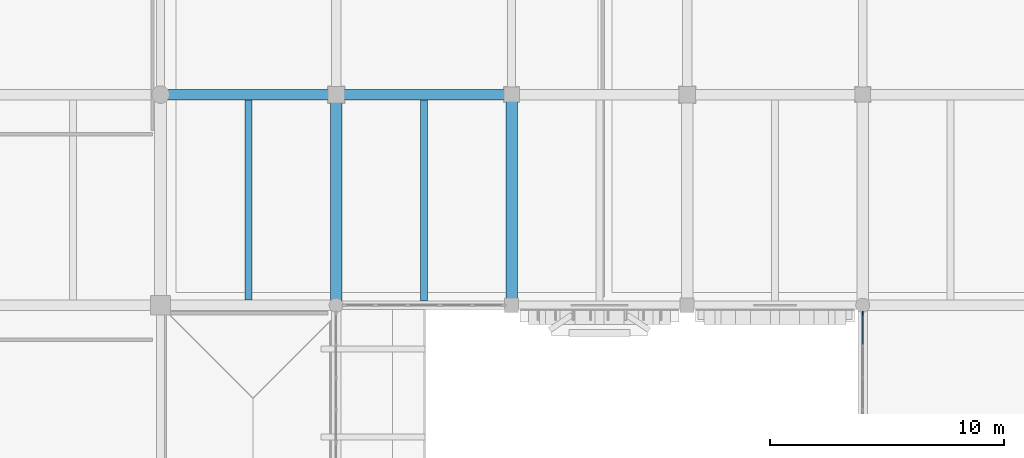
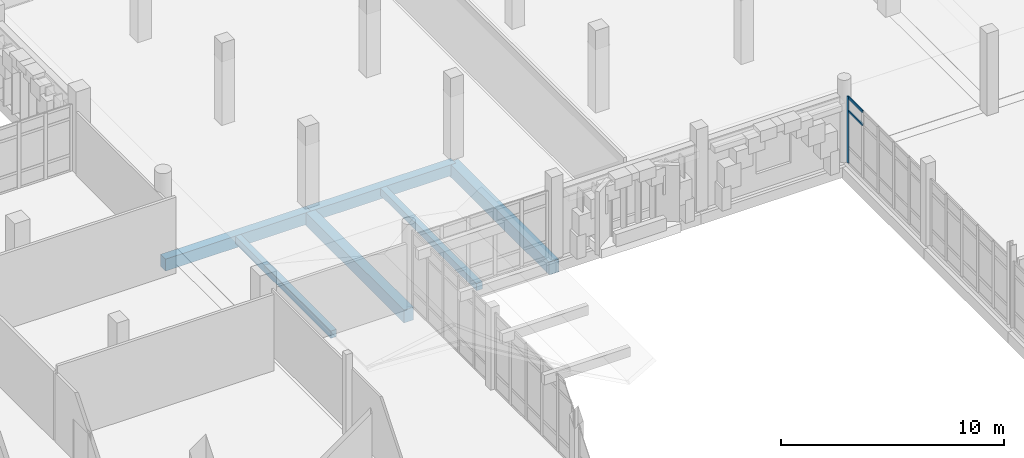
# One storey, part 47 of 128: 6 beams, 3 members, 1 element without a shape of its own.
"""IFC4 building model written with IfcOpenShell, lengths in metres."""

from ifc_helpers import new_model, si_unit, direction, frame, origin, origin_2d, place, context, subcontext, project, spatial, rectangle, extrude, material, layer, layer_set, material_profile, profile_set, type_object, element, aggregate, save


model = new_model("IFC4")

# Units and contexts
model_context = context("Model", 3, precision=1e-05, world=origin(), true_north=direction((0.0, 1.0)))
body_context = subcontext(model_context, "Body", "Model", "MODEL_VIEW")
ifc_project = project(units=[si_unit("LENGTHUNIT", "METRE"), si_unit("AREAUNIT", "SQUARE_METRE"), si_unit("VOLUMEUNIT", "CUBIC_METRE"), si_unit("PLANEANGLEUNIT", "RADIAN"), si_unit("MASSUNIT", "GRAM", prefix="KILO")], contexts=[model_context])

# Site, building, storey
site_placement = place(None, origin())
site = spatial("IfcSite", under=ifc_project, at=site_placement, CompositionType="ELEMENT")
building_placement = place(site_placement, origin())
building = spatial("IfcBuilding", under=site, at=building_placement, Name="Dalvernix Boulevard General Hospital", CompositionType="ELEMENT")
storey_placement = place(building_placement, frame((0.0, 0.0, 4.800048828125)))
storey = spatial("IfcBuildingStorey", under=building, at=storey_placement, Name="L01", CompositionType="ELEMENT", Elevation=4.800048828125)

# Beams
ifc_material_1 = material(Name="Concrete C35/45", Category="concrete")
ifc_material_profile_1 = material_profile(ifc_material_1, rectangle(XDim=0.5, YDim=0.699951171875, at=origin_2d()), Name="RCB 500x700")
ifc_profile_set_1 = profile_set([ifc_material_profile_1], Name="Concrete C35/45")
beam_type_1 = type_object("IfcBeamType", Name="BM-B-01-I", PredefinedType="BEAM", material=ifc_profile_set_1)
for number, where, z_axis, x_axis, name in (
    (1, (37.5, 76.5, -0.650146484375), (0.0, 1.0, 0.0), (-1.0, 0.0, 0.0), "L01 N-S girder 6:L-M"),
    (2, (45.0, 76.5, -0.650146484375), (0.0, 1.0, 0.0), (-1.0, 0.0, 0.0), "L01 N-S girder 7:L-M"),
):
    element("IfcBeam", number, at=place(storey_placement, frame(where, z_axis=z_axis, x_axis=x_axis)), inside=storey, type_object=beam_type_1, Name=name, PredefinedType="BEAM", context=body_context, shape_type="SweptSolid", body=[
        extrude(rectangle(XDim=0.5, YDim=0.699951171875, at=origin_2d()), origin(), (0.0, 0.0, 1.0), 9.0),
    ])
ifc_material_profile_2 = material_profile(ifc_material_1, rectangle(XDim=0.449951171875, YDim=0.64990234375, at=origin_2d()), Name="RCB 450x650")
ifc_profile_set_2 = profile_set([ifc_material_profile_2], Name="Concrete C35/45")
beam_type_2 = type_object("IfcBeamType", Name="BM-B-03-I", PredefinedType="BEAM", material=ifc_profile_set_2)
beam_1_placement = place(storey_placement, frame((30.0, 85.5, -0.625), z_axis=(1.0, 0.0, 0.0), x_axis=(0.0, 1.0, 0.0)))
element("IfcBeam", 3, at=beam_1_placement, inside=storey, type_object=beam_type_2, Name="L01 E-W girder M:5-6", PredefinedType="BEAM", context=body_context, shape_type="SweptSolid", body=[
    extrude(rectangle(XDim=0.449951171875, YDim=0.64990234375, at=origin_2d()), origin(), (0.0, 0.0, 1.0), 7.5),
])
ifc_material_profile_3 = material_profile(ifc_material_1, rectangle(XDim=0.449951171875, YDim=0.60009765625, at=origin_2d()), Name="RCB 450x600")
ifc_profile_set_3 = profile_set([ifc_material_profile_3], Name="Concrete C35/45")
beam_type_3 = type_object("IfcBeamType", Name="BM-B-04-I", PredefinedType="BEAM", material=ifc_profile_set_3)
beam_2_placement = place(storey_placement, frame((37.5, 85.5, -0.60009765625), z_axis=(1.0, 0.0, 0.0), x_axis=(0.0, 1.0, 0.0)))
element("IfcBeam", 4, at=beam_2_placement, inside=storey, type_object=beam_type_3, Name="L01 E-W girder M:6-7", PredefinedType="BEAM", context=body_context, shape_type="SweptSolid", body=[
    extrude(rectangle(XDim=0.449951171875, YDim=0.60009765625, at=origin_2d()), origin(), (0.0, 0.0, 1.0), 7.5),
])
ifc_material_profile_4 = material_profile(ifc_material_1, rectangle(XDim=0.300048828125, YDim=0.39990234375, at=origin_2d()), Name="RCB 300x400")
ifc_profile_set_4 = profile_set([ifc_material_profile_4], Name="Concrete C35/45")
beam_type_4 = type_object("IfcBeamType", Name="BM-JB-01", PredefinedType="JOIST", material=ifc_profile_set_4)
beam_3_placement = place(storey_placement, frame((33.75, 76.72509765625, -0.5), z_axis=(0.0, 1.0, 0.0), x_axis=(-1.0, 0.0, 0.0)))
element("IfcBeam", 5, at=beam_3_placement, inside=storey, type_object=beam_type_4, Name="L01 secondary floor beam 5-L", PredefinedType="JOIST", context=body_context, shape_type="SweptSolid", body=[
    extrude(rectangle(XDim=0.300048828125, YDim=0.39990234375, at=origin_2d()), origin(), (0.0, 0.0, 1.0), 8.5498046875),
])
beam_4_placement = place(storey_placement, frame((41.25, 76.675048828125, -0.5), z_axis=(0.0, 1.0, 0.0), x_axis=(-1.0, 0.0, 0.0)))
element("IfcBeam", 6, at=beam_4_placement, inside=storey, type_object=beam_type_4, Name="L01 secondary floor beam 6-L", PredefinedType="JOIST", context=body_context, shape_type="SweptSolid", body=[
    extrude(rectangle(XDim=0.300048828125, YDim=0.39990234375, at=origin_2d()), origin(), (0.0, 0.0, 1.0), 8.599853515625),
])

# Curtain wall, members
ifc_material_2 = material(Name="Thermally broken aluminium and solar-control glass curtain wall", Category="aluminium")
ifc_layer = layer(ifc_material_2, 0.159912109375)
ifc_layer_set = layer_set([ifc_layer], Name="Thermally broken aluminium and solar-control glass curtain wall (CW-CW-A-69x36)")
curtain_wall_type = type_object("IfcCurtainWallType", Name="CW-CW-A-69x36", PredefinedType="USERDEFINED", material=ifc_layer_set)
curtain_wall_placement = place(storey_placement, origin())
curtain_wall = element("IfcCurtainWall", 7, at=curtain_wall_placement, inside=storey, type_object=curtain_wall_type, Name="L01 curtain wall CW-A-69x36 8-9", ObjectType="GLAZED FACADE", PredefinedType="USERDEFINED")
ifc_material_3 = material(Name="Aluminium EN AW-6060", Category="aluminium")
ifc_material_profile_5 = material_profile(ifc_material_3, rectangle(XDim=0.06005859375, YDim=0.159912109375, at=origin_2d()), Name="ALU MULL 60x160")
ifc_profile_set_5 = profile_set([ifc_material_profile_5], Name="Aluminium EN AW-6060")
member_type_1 = type_object("IfcMemberType", Name="MEM-CW-M1", PredefinedType="MULLION", material=ifc_profile_set_5)
member_1_placement = place(storey_placement, frame((60.0, 76.159912109375, 0.0), z_axis=(0.0, 0.0, 1.0), x_axis=(-1.0, 0.0, 0.0)))
member_1 = element("IfcMember", 8, at=member_1_placement, type_object=member_type_1, Name="CW-A-69x36 mullion 6", PredefinedType="MULLION", context=body_context, shape_type="SweptSolid", body=[
    extrude(rectangle(XDim=0.06005859375, YDim=0.159912109375, at=origin_2d()), origin(), (0.0, 0.0, 1.0), 3.6298828125),
])
ifc_material_profile_6 = material_profile(ifc_material_3, rectangle(XDim=0.06005859375, YDim=0.1201171875, at=origin_2d()), Name="ALU TRAN 60x120")
ifc_profile_set_6 = profile_set([ifc_material_profile_6], Name="Aluminium EN AW-6060")
member_type_2 = type_object("IfcMemberType", Name="MEM-CW-T1", PredefinedType="USERDEFINED", material=ifc_profile_set_6)
member_2_placement = place(storey_placement, frame((60.0, 74.833984375, 2.8798828125), z_axis=(0.0, 1.0, 0.0), x_axis=(-1.0, 0.0, 0.0)))
member_2 = element("IfcMember", 9, at=member_2_placement, type_object=member_type_2, Name="CW-A-69x36 transom 5.3", ObjectType="TRANSOM", PredefinedType="USERDEFINED", context=body_context, shape_type="SweptSolid", body=[
    extrude(rectangle(XDim=0.06005859375, YDim=0.1201171875, at=origin_2d()), origin(), (0.0, 0.0, 1.0), 1.2958984375),
])
member_3_placement = place(storey_placement, frame((60.0, 74.833984375, 3.599853515625), z_axis=(0.0, 1.0, 0.0), x_axis=(-1.0, 0.0, 0.0)))
member_3 = element("IfcMember", 10, at=member_3_placement, type_object=member_type_2, Name="CW-A-69x36 transom 5.4", ObjectType="TRANSOM", PredefinedType="USERDEFINED", context=body_context, shape_type="SweptSolid", body=[
    extrude(rectangle(XDim=0.06005859375, YDim=0.1201171875, at=origin_2d()), origin(), (0.0, 0.0, 1.0), 1.2958984375),
])
aggregate(curtain_wall, [member_1, member_2, member_3])

save(model, "model.ifc")
